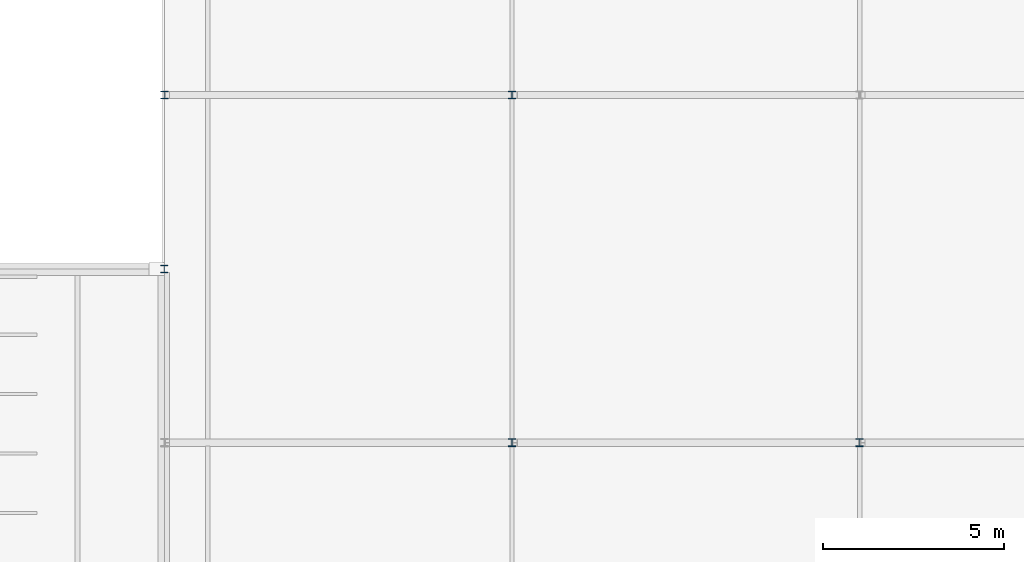
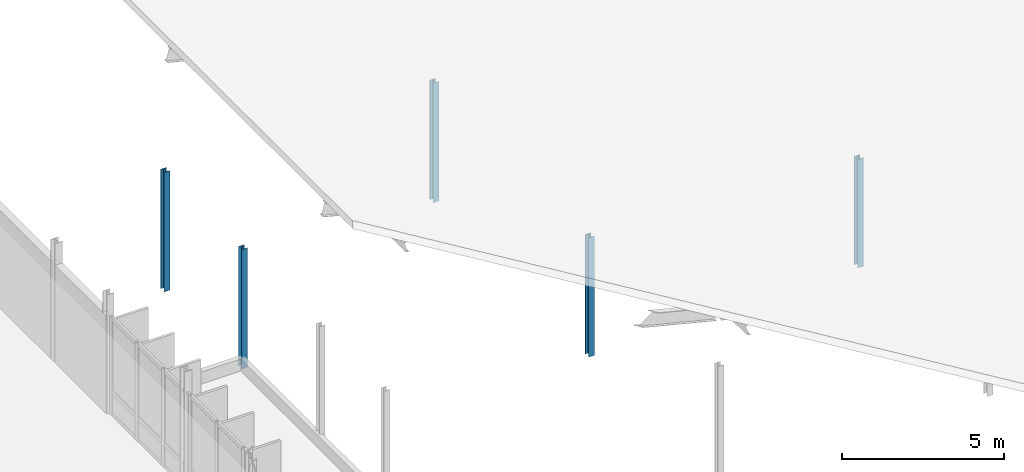
# One storey, part 14 of 93: 5 columns.
"""IFC4 building model written with IfcOpenShell, lengths in metres."""

from ifc_helpers import new_model, si_unit, direction, frame, origin, origin_2d, place, context, subcontext, project, spatial, i_section, extrude, material, material_profile, profile_set, type_object, element, save


model = new_model("IFC4")

# Units and contexts
model_context = context("Model", 3, precision=1e-05, world=origin(), true_north=direction((0.0, 1.0)))
body_context = subcontext(model_context, "Body", "Model", "MODEL_VIEW")
ifc_project = project(units=[si_unit("LENGTHUNIT", "METRE"), si_unit("AREAUNIT", "SQUARE_METRE"), si_unit("VOLUMEUNIT", "CUBIC_METRE"), si_unit("PLANEANGLEUNIT", "RADIAN"), si_unit("MASSUNIT", "GRAM", prefix="KILO")], contexts=[model_context])

# Site, building, storey
site_placement = place(None, origin())
site = spatial("IfcSite", under=ifc_project, at=site_placement, CompositionType="ELEMENT")
building_placement = place(site_placement, origin())
building = spatial("IfcBuilding", under=site, at=building_placement, Name="Dunescarp Central Library", CompositionType="ELEMENT")
storey_placement = place(building_placement, frame((0.0, 0.0, 14.10009765625)))
storey = spatial("IfcBuildingStorey", under=building, at=storey_placement, Name="L03", CompositionType="ELEMENT", Elevation=14.10009765625)

# Columns
ifc_material = material(Name="Steel S355JR", Category="steel")
ifc_material_profile_1 = material_profile(ifc_material, i_section(OverallWidth=0.20361328125, OverallDepth=0.203125, WebThickness=0.007080078125, FlangeThickness=0.010986328125, at=origin_2d()), Name="UC 203x203x46")
ifc_profile_set_1 = profile_set([ifc_material_profile_1], Name="Steel S355JR")
column_type_1 = type_object("IfcColumnType", Name="STR-COL-UC203X46", PredefinedType="COLUMN", material=ifc_profile_set_1)
column_1_placement = place(storey_placement, frame((129.60009765625, 25.60009765625, 0.0), z_axis=(0.0, 0.0, 1.0), x_axis=(1.0, 0.0, 0.0)))
element("IfcColumn", 1, at=column_1_placement, inside=storey, type_object=column_type_1, Name="L03 column V5L-256", PredefinedType="COLUMN", context=body_context, shape_type="SweptSolid", body=[
    extrude(i_section(OverallWidth=0.20361328125, OverallDepth=0.203125, WebThickness=0.007080078125, FlangeThickness=0.010986328125, at=origin_2d()), origin(), (0.0, 0.0, 1.0), 4.5),
])
ifc_material_profile_2 = material_profile(ifc_material, i_section(OverallWidth=0.206298828125, OverallDepth=0.2158203125, WebThickness=0.010009765625, FlangeThickness=0.017333984375, at=origin_2d()), Name="UC 203x203x71")
ifc_profile_set_2 = profile_set([ifc_material_profile_2], Name="Steel S355JR")
column_type_2 = type_object("IfcColumnType", Name="STR-COL-UC203X71", PredefinedType="COLUMN", material=ifc_profile_set_2)
for number, where, z_axis, x_axis, name in (
    (2, (129.60009765625, 30.39990234375, 0.0), (0.0, 0.0, 1.0), (1.0, 0.0, 0.0), "L03 column V5-1296-304"),
    (3, (139.199951171875, 20.800048828125, 0.0), (0.0, 0.0, 1.0), (1.0, 0.0, 0.0), "L03 column V5-1392-208"),
    (4, (139.199951171875, 30.39990234375, 0.0), (0.0, 0.0, 1.0), (1.0, 0.0, 0.0), "L03 column V5-1392-304"),
):
    element("IfcColumn", number, at=place(storey_placement, frame(where, z_axis=z_axis, x_axis=x_axis)), inside=storey, type_object=column_type_2, Name=name, PredefinedType="COLUMN", context=body_context, shape_type="SweptSolid", body=[
        extrude(i_section(OverallWidth=0.206298828125, OverallDepth=0.2158203125, WebThickness=0.010009765625, FlangeThickness=0.017333984375, at=origin_2d()), origin(), (0.0, 0.0, 1.0), 4.5),
    ])
column_2_placement = place(storey_placement, frame((148.800048828125, 20.800048828125, 0.0), z_axis=(0.0, 0.0, 1.0), x_axis=(1.0, 0.0, 0.0)))
element("IfcColumn", 5, at=column_2_placement, inside=storey, type_object=column_type_2, Name="L03 column V5-1488-208", PredefinedType="COLUMN", context=body_context, shape_type="SweptSolid", body=[
    extrude(i_section(OverallWidth=0.206298828125, OverallDepth=0.2158203125, WebThickness=0.010009765625, FlangeThickness=0.017333984375, at=origin_2d()), origin(), (0.0, 0.0, 1.0), 4.093017578125),
])

save(model, "model.ifc")
